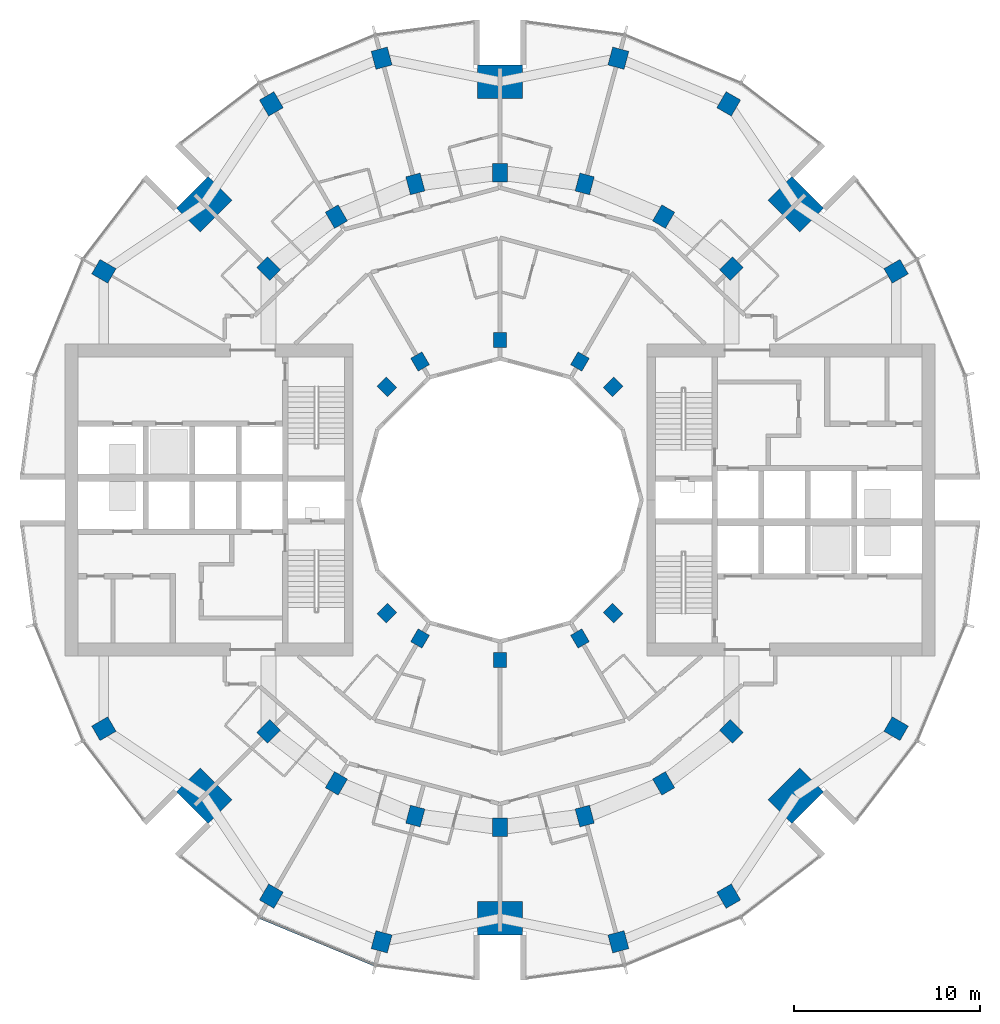
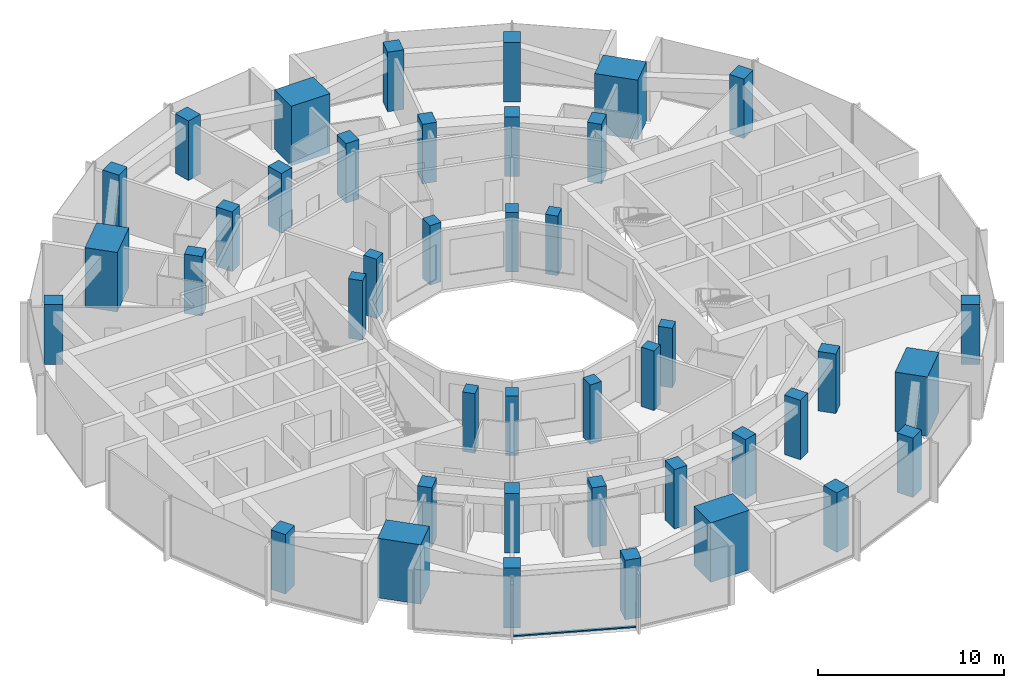
# One storey, part 1 of 15: 42 columns, 1 member, 1 element without a shape of its own.
"""IFC4 building model written with IfcOpenShell, lengths in metres."""

from ifc_helpers import new_model, si_unit, direction, frame, origin, origin_2d, place, context, subcontext, project, spatial, rectangle, extrude, material, layer, layer_set, material_profile, profile_set, type_object, element, aggregate, save


model = new_model("IFC4")

# Units and contexts
model_context = context("Model", 3, precision=1e-05, world=origin(), true_north=direction((0.0, 1.0)))
body_context = subcontext(model_context, "Body", "Model", "MODEL_VIEW")
ifc_project = project(units=[si_unit("LENGTHUNIT", "METRE"), si_unit("AREAUNIT", "SQUARE_METRE"), si_unit("VOLUMEUNIT", "CUBIC_METRE"), si_unit("PLANEANGLEUNIT", "RADIAN"), si_unit("MASSUNIT", "GRAM", prefix="KILO")], contexts=[model_context])

# Site, building, storey
site_placement = place(None, origin())
site = spatial("IfcSite", under=ifc_project, at=site_placement, CompositionType="ELEMENT")
building_placement = place(site_placement, origin())
building = spatial("IfcBuilding", under=site, at=building_placement, Name="Torre Brocal", CompositionType="ELEMENT")
storey_placement = place(building_placement, frame((0.0, 0.0, 145.800048828125)))
storey = spatial("IfcBuildingStorey", under=building, at=storey_placement, Name="L34", CompositionType="ELEMENT", Elevation=145.800048828125)

# Columns
ifc_material_1 = material(Name="Concrete C70", Category="concrete")
ifc_material_profile_1 = material_profile(ifc_material_1, rectangle(XDim=1.0, YDim=0.800048828125, at=origin_2d()), Name="RC 1000X800")
ifc_profile_set_1 = profile_set([ifc_material_profile_1], Name="Concrete C70")
column_type_1 = type_object("IfcColumnType", Name="RC COLUMN 1000X800 C70", PredefinedType="COLUMN", material=ifc_profile_set_1)
for number, where, z_axis, x_axis, name in (
    (1, (92.445068359375, 87.445068359375, 0.0), (0.0, 0.0, 1.0), (0.707106781187, 0.707106781187, 0.0), "Column C-M03"),
    (2, (88.800048828125, 90.241943359375, 0.0), (0.0, 0.0, 1.0), (0.5, 0.866025403784, 0.0), "Column C-M04"),
    (3, (84.55517578125, 92.000244140625, 0.0), (0.0, 0.0, 1.0), (0.258819045103, 0.965925826289, 0.0), "Column C-M05"),
    (4, (80.0, 92.60009765625, 0.0), (0.0, 0.0, 1.0), (0.0, 1.0, 0.0), "Column C-M06"),
    (5, (75.44482421875, 92.000244140625, 0.0), (0.0, 0.0, 1.0), (-0.258819045103, 0.965925826289, 0.0), "Column C-M07"),
    (6, (71.199951171875, 90.241943359375, 0.0), (0.0, 0.0, 1.0), (-0.5, 0.866025403784, 0.0), "Column C-M08"),
    (7, (67.554931640625, 87.445068359375, 0.0), (0.0, 0.0, 1.0), (-0.707106781187, 0.707106781187, 0.0), "Column C-M09"),
    (8, (67.554931640625, 62.554931640625, 0.0), (0.0, 0.0, 1.0), (-0.707106781187, -0.707106781187, 0.0), "Column C-M15"),
    (9, (71.199951171875, 59.758056640625, 0.0), (0.0, 0.0, 1.0), (-0.5, -0.866025403784, 0.0), "Column C-M16"),
    (10, (75.44482421875, 57.999755859375, 0.0), (0.0, 0.0, 1.0), (-0.258819045103, -0.965925826289, 0.0), "Column C-M17"),
    (11, (80.0, 57.39990234375, 0.0), (0.0, 0.0, 1.0), (0.0, -1.0, 0.0), "Column C-M18"),
    (12, (84.55517578125, 57.999755859375, 0.0), (0.0, 0.0, 1.0), (0.258819045103, -0.965925826289, 0.0), "Column C-M19"),
    (13, (88.800048828125, 59.758056640625, 0.0), (0.0, 0.0, 1.0), (0.5, -0.866025403784, 0.0), "Column C-M20"),
    (14, (92.445068359375, 62.554931640625, 0.0), (0.0, 0.0, 1.0), (0.707106781187, -0.707106781187, 0.0), "Column C-M21"),
):
    element("IfcColumn", number, at=place(storey_placement, frame(where, z_axis=z_axis, x_axis=x_axis)), inside=storey, type_object=column_type_1, Name=name, PredefinedType="COLUMN", context=body_context, shape_type="SweptSolid", body=[
        extrude(rectangle(XDim=1.0, YDim=0.800048828125, at=origin_2d()), origin(), (0.0, 0.0, 1.0), 3.89990234375),
    ])
ifc_material_2 = material(Name="Concrete C70", Category="concrete")
ifc_material_profile_2 = material_profile(ifc_material_2, rectangle(XDim=1.0, YDim=0.89990234375, at=origin_2d()), Name="RC 1000X900")
ifc_profile_set_2 = profile_set([ifc_material_profile_2], Name="Concrete C70")
column_type_2 = type_object("IfcColumnType", Name="RC COLUMN 1000X900 C70", PredefinedType="COLUMN", material=ifc_profile_set_2)
for number, where, z_axis, x_axis, name in (
    (15, (101.30419921875, 87.300048828125, 0.0), (0.0, 0.0, 1.0), (0.866025403784, 0.5, 0.0), "Column C-O02"),
    (16, (92.300048828125, 96.30419921875, 0.0), (0.0, 0.0, 1.0), (0.5, 0.866025403784, 0.0), "Column C-O04"),
    (17, (86.366943359375, 98.76171875, 0.0), (0.0, 0.0, 1.0), (0.258819045103, 0.965925826289, 0.0), "Column C-O05"),
    (18, (73.633056640625, 98.76171875, 0.0), (0.0, 0.0, 1.0), (-0.258819045103, 0.965925826289, 0.0), "Column C-O07"),
    (19, (67.699951171875, 96.30419921875, 0.0), (0.0, 0.0, 1.0), (-0.5, 0.866025403784, 0.0), "Column C-O08"),
    (20, (58.69580078125, 87.300048828125, 0.0), (0.0, 0.0, 1.0), (-0.866025403784, 0.5, 0.0), "Column C-O10"),
    (21, (58.69580078125, 62.699951171875, 0.0), (0.0, 0.0, 1.0), (-0.866025403784, -0.5, 0.0), "Column C-O14"),
    (22, (67.699951171875, 53.69580078125, 0.0), (0.0, 0.0, 1.0), (-0.5, -0.866025403784, 0.0), "Column C-O16"),
    (23, (73.633056640625, 51.23828125, 0.0), (0.0, 0.0, 1.0), (-0.258819045103, -0.965925826289, 0.0), "Column C-O17"),
    (24, (86.366943359375, 51.23828125, 0.0), (0.0, 0.0, 1.0), (0.258819045103, -0.965925826289, 0.0), "Column C-O19"),
    (25, (92.300048828125, 53.69580078125, 0.0), (0.0, 0.0, 1.0), (0.5, -0.866025403784, 0.0), "Column C-O20"),
    (26, (101.30419921875, 62.699951171875, 0.0), (0.0, 0.0, 1.0), (0.866025403784, -0.5, 0.0), "Column C-O22"),
):
    element("IfcColumn", number, at=place(storey_placement, frame(where, z_axis=z_axis, x_axis=x_axis)), inside=storey, type_object=column_type_2, Name=name, PredefinedType="COLUMN", context=body_context, shape_type="SweptSolid", body=[
        extrude(rectangle(XDim=1.0, YDim=0.89990234375, at=origin_2d()), origin(), (0.0, 0.0, 1.0), 3.89990234375),
    ])
ifc_material_3 = material(Name="Concrete C70", Category="concrete")
ifc_material_profile_3 = material_profile(ifc_material_3, rectangle(XDim=1.800048828125, YDim=2.39990234375, at=origin_2d()), Name="RC 1800X2400")
ifc_profile_set_3 = profile_set([ifc_material_profile_3], Name="Concrete C70")
column_type_3 = type_object("IfcColumnType", Name="RC COLUMN 1800X2400 C70", PredefinedType="COLUMN", material=ifc_profile_set_3)
for number, where, z_axis, x_axis, name in (
    (27, (95.909912109375, 90.909912109375, 0.0), (0.0, 0.0, 1.0), (0.707106781187, 0.707106781187, 0.0), "Column MC-1"),
    (28, (80.0, 97.5, 0.0), (0.0, 0.0, 1.0), (0.0, 1.0, 0.0), "Column MC-2"),
    (29, (64.090087890625, 90.909912109375, 0.0), (0.0, 0.0, 1.0), (-0.707106781187, 0.707106781187, 0.0), "Column MC-3"),
    (30, (64.090087890625, 59.090087890625, 0.0), (0.0, 0.0, 1.0), (-0.707106781187, -0.707106781187, 0.0), "Column MC-5"),
    (31, (80.0, 52.5, 0.0), (0.0, 0.0, 1.0), (0.0, -1.0, 0.0), "Column MC-6"),
    (32, (95.909912109375, 59.090087890625, 0.0), (0.0, 0.0, 1.0), (0.707106781187, -0.707106781187, 0.0), "Column MC-7"),
):
    element("IfcColumn", number, at=place(storey_placement, frame(where, z_axis=z_axis, x_axis=x_axis)), inside=storey, type_object=column_type_3, Name=name, PredefinedType="COLUMN", context=body_context, shape_type="SweptSolid", body=[
        extrude(rectangle(XDim=1.800048828125, YDim=2.39990234375, at=origin_2d()), origin(), (0.0, 0.0, 1.0), 3.89990234375),
    ])
ifc_material_4 = material(Name="Concrete C70", Category="concrete")
ifc_material_profile_4 = material_profile(ifc_material_4, rectangle(XDim=0.800048828125, YDim=0.699951171875, at=origin_2d()), Name="RC 800X700")
ifc_profile_set_4 = profile_set([ifc_material_profile_4], Name="Concrete C70")
column_type_4 = type_object("IfcColumnType", Name="RC COLUMN 800X700 C70", PredefinedType="COLUMN", material=ifc_profile_set_4)
for number, where, z_axis, x_axis, name in (
    (33, (86.0810546875, 81.0810546875, 0.0), (0.0, 0.0, 1.0), (0.707106781187, 0.707106781187, 0.0), "Column C-I03"),
    (34, (84.300048828125, 82.44775390625, 0.0), (0.0, 0.0, 1.0), (0.5, 0.866025403784, 0.0), "Column C-I04"),
    (35, (80.0, 83.60009765625, 0.0), (0.0, 0.0, 1.0), (0.0, 1.0, 0.0), "Column C-I06"),
    (36, (75.699951171875, 82.44775390625, 0.0), (0.0, 0.0, 1.0), (-0.5, 0.866025403784, 0.0), "Column C-I08"),
    (37, (73.9189453125, 81.0810546875, 0.0), (0.0, 0.0, 1.0), (-0.707106781187, 0.707106781187, 0.0), "Column C-I09"),
    (38, (73.9189453125, 68.9189453125, 0.0), (0.0, 0.0, 1.0), (-0.707106781187, -0.707106781187, 0.0), "Column C-I15"),
    (39, (75.699951171875, 67.55224609375, 0.0), (0.0, 0.0, 1.0), (-0.5, -0.866025403784, 0.0), "Column C-I16"),
    (40, (80.0, 66.39990234375, 0.0), (0.0, 0.0, 1.0), (0.0, -1.0, 0.0), "Column C-I18"),
    (41, (84.300048828125, 67.55224609375, 0.0), (0.0, 0.0, 1.0), (0.5, -0.866025403784, 0.0), "Column C-I20"),
    (42, (86.0810546875, 68.9189453125, 0.0), (0.0, 0.0, 1.0), (0.707106781187, -0.707106781187, 0.0), "Column C-I21"),
):
    element("IfcColumn", number, at=place(storey_placement, frame(where, z_axis=z_axis, x_axis=x_axis)), inside=storey, type_object=column_type_4, Name=name, PredefinedType="COLUMN", context=body_context, shape_type="SweptSolid", body=[
        extrude(rectangle(XDim=0.800048828125, YDim=0.699951171875, at=origin_2d()), origin(), (0.0, 0.0, 1.0), 3.89990234375),
    ])

# Curtain wall, member
ifc_material_5 = material(Name="Aluminium and glass", Category="aluminium")
ifc_layer = layer(ifc_material_5, 0.199951171875)
ifc_layer_set = layer_set([ifc_layer], Name="Aluminium and glass")
curtain_wall_type = type_object("IfcCurtainWallType", Name="CW-1 CURTAIN WALL 3900 HIGH", PredefinedType="NOTDEFINED", material=ifc_layer_set)
curtain_wall_placement = place(storey_placement, origin())
curtain_wall = element("IfcCurtainWall", 43, at=curtain_wall_placement, inside=storey, type_object=curtain_wall_type, Name="CW-1 RUN 17", PredefinedType="NOTDEFINED")
ifc_material_6 = material(Name="Aluminium, dark anodised", Category="aluminium")
ifc_material_profile_5 = material_profile(ifc_material_6, rectangle(XDim=0.159912109375, YDim=0.080078125, at=origin_2d()), Name="CW-1 TRANSOM 160X80")
ifc_profile_set_5 = profile_set([ifc_material_profile_5], Name="Aluminium, dark anodised")
member_type = type_object("IfcMemberType", Name="CW-1 TRANSOM 160X80", PredefinedType="USERDEFINED", material=ifc_profile_set_5)
member_placement = place(storey_placement, frame((67.10595703125, 52.547607421875, 0.0400390625), z_axis=(0.923887344364, -0.38266457234, 0.0), x_axis=(0.38266457234, 0.923887344364, 0.0)))
member = element("IfcMember", 44, at=member_placement, type_object=member_type, Name="CW1-3 transom 1.1", ObjectType="TRANSOM", PredefinedType="USERDEFINED", context=body_context, shape_type="SweptSolid", body=[
    extrude(rectangle(XDim=0.159912109375, YDim=0.080078125, at=origin_2d()), origin(), (0.0, 0.0, 1.0), 6.640869140625),
])
aggregate(curtain_wall, [member])

save(model, "model.ifc")
